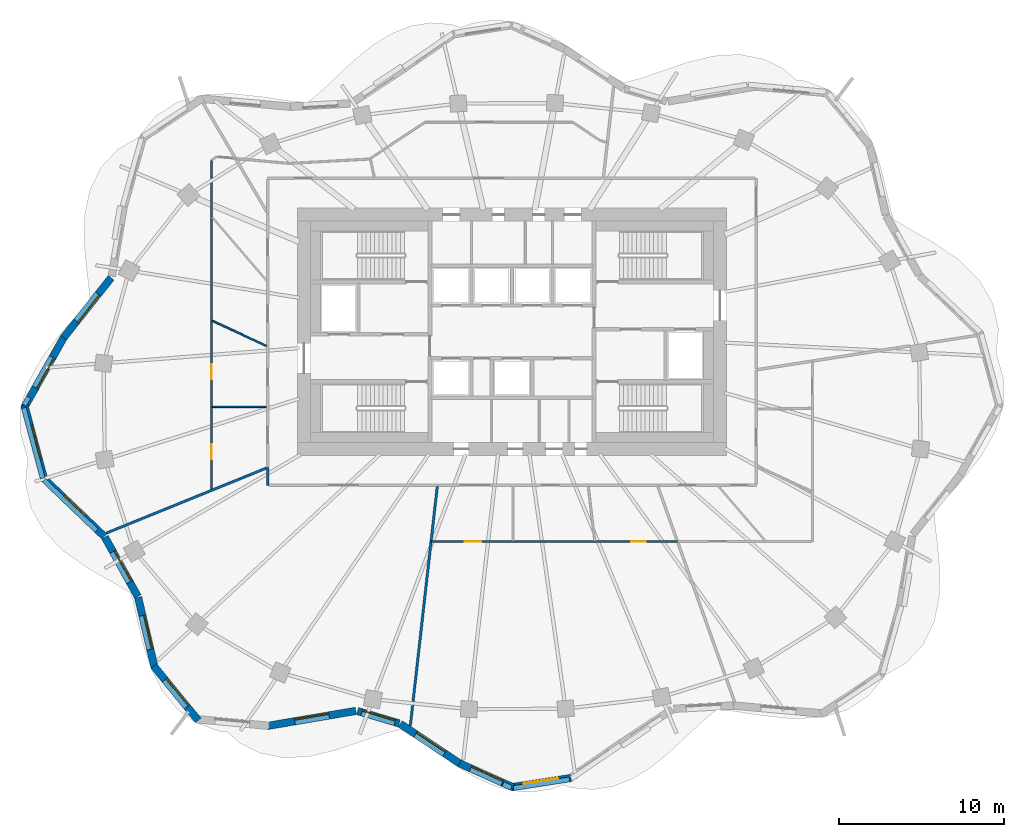
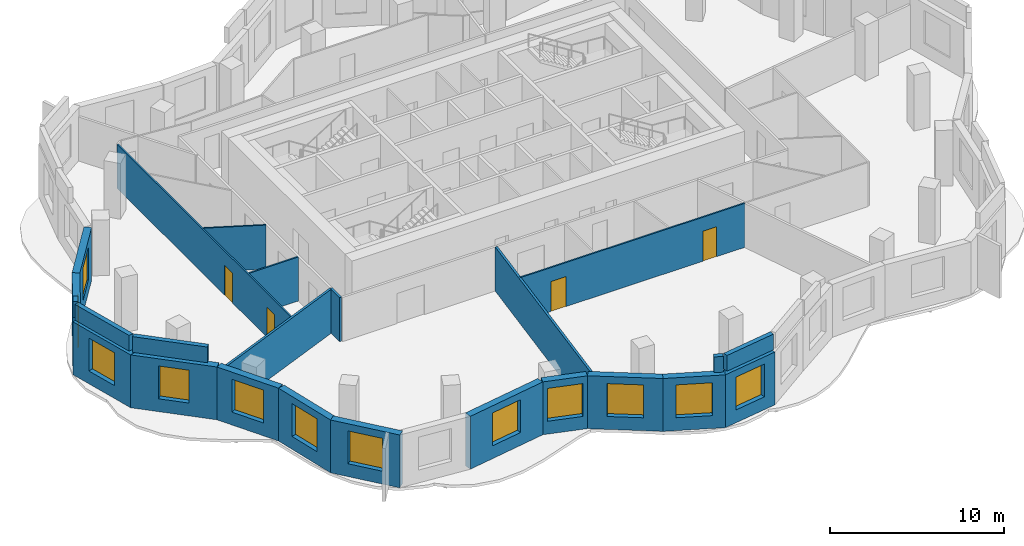
# One storey, part 3 of 9: 24 walls, 12 windows, 4 doors, 16 openings.
"""IFC4 building model written with IfcOpenShell, lengths in metres."""

from ifc_helpers import new_model, si_unit, direction, frame, frame_2d, origin, place, context, subcontext, project, spatial, rectangle, extrude, material, layer, layer_set, type_object, element, fill, save


model = new_model("IFC4")

# Units and contexts
model_context = context("Model", 3, precision=1e-05, world=origin(), true_north=direction((0.0, 1.0)))
body_context = subcontext(model_context, "Body", "Model", "MODEL_VIEW")
ifc_project = project(units=[si_unit("LENGTHUNIT", "METRE"), si_unit("AREAUNIT", "SQUARE_METRE"), si_unit("VOLUMEUNIT", "CUBIC_METRE"), si_unit("PLANEANGLEUNIT", "RADIAN"), si_unit("MASSUNIT", "GRAM", prefix="KILO")], contexts=[model_context])

# Site, building, storey
site_placement = place(None, origin())
site = spatial("IfcSite", under=ifc_project, at=site_placement, CompositionType="ELEMENT")
building_placement = place(site_placement, origin())
building = spatial("IfcBuilding", under=site, at=building_placement, Name="Rubra Terraces Tower", CompositionType="ELEMENT")
storey_placement = place(building_placement, frame((0.0, 0.0, 248.699951171875)))
storey = spatial("IfcBuildingStorey", under=building, at=storey_placement, Name="L61", CompositionType="ELEMENT", Elevation=248.699951171875)

# Wall, opening, window
ifc_material_1 = material(Name="Brick masonry red-brown", Category="masonry")
ifc_layer_1 = layer(ifc_material_1, 0.449951171875)
ifc_layer_set_1 = layer_set([ifc_layer_1], Name="Brick masonry red-brown")
wall_type_1 = type_object("IfcWallType", Name="Brick facade wall 450", PredefinedType="SOLIDWALL", material=ifc_layer_set_1)
wall_1_placement = place(storey_placement, frame((-24.2822265625, 7.773681640625, 0.0), z_axis=(0.0, 0.0, 1.0), x_axis=(-0.621735490397, -0.783227285008, 0.0)))
wall_1 = element("IfcWall", 1, at=wall_1_placement, inside=storey, type_object=wall_type_1, Name="Facade wall L61 bay 19", PredefinedType="SOLIDWALL", context=body_context, shape_type="SweptSolid", body=[
    extrude(rectangle(XDim=4.62451171875, YDim=0.449951171875, at=frame_2d((2.312255859375, 0.0))), origin(), (0.0, 0.0, 1.0), 3.699951171875),
])
opening_1_placement = place(wall_1_placement, frame((1.26220703125, 0.0, 0.89990234375)))
opening_1 = element("IfcOpeningElement", 2, at=opening_1_placement, cuts=wall_1, Name="Opening W1B", PredefinedType="OPENING", context=body_context, shape_type="SweptSolid", body=[
    extrude(rectangle(XDim=2.10009765625, YDim=2.300048828125, at=frame_2d((1.050048828125, 1.14990234375))), frame((0.0, 0.23486328125, 0.0), z_axis=(0.0, -1.0, 0.0), x_axis=(1.0, 0.0, 0.0)), (0.0, 0.0, 1.0), 0.469970703125),
])
ifc_material_2 = material(Name="Clear glass in aluminium frame", Category="aluminium")
window_type_1 = type_object("IfcWindowType", Name="Fixed deep-set window tall storey 2100 x 2300", PartitioningType="SINGLE_PANEL", PredefinedType="WINDOW", material=ifc_material_2)
window_1_placement = place(opening_1_placement, origin())
window_1 = element("IfcWindow", 3, at=window_1_placement, inside=storey, type_object=window_type_1, Name="Window L61 bay 19", OverallHeight=2.300048828125, OverallWidth=2.10009765625, PartitioningType="SINGLE_PANEL", PredefinedType="WINDOW", context=body_context, shape_type="SweptSolid", body=[
    extrude(rectangle(XDim=2.10009765625, YDim=2.300048828125, at=frame_2d((1.050048828125, 1.14990234375))), frame((0.0, 0.135009765625, 0.0), z_axis=(0.0, -1.0, 0.0), x_axis=(1.0, 0.0, 0.0)), (0.0, 0.0, 1.0), 0.06005859375),
])
fill(opening_1, window_1)

wall_2_placement = place(storey_placement, frame((-27.138427734375, 4.180908203125, 0.0), z_axis=(0.0, 0.0, 1.0), x_axis=(-0.491588303761, -0.870827732451, 0.0)))
wall_2 = element("IfcWall", 4, at=wall_2_placement, inside=storey, type_object=wall_type_1, Name="Facade wall L61 bay 20", PredefinedType="SOLIDWALL", context=body_context, shape_type="SweptSolid", body=[
    extrude(rectangle(XDim=4.924072265625, YDim=0.449951171875, at=frame_2d((2.4619140625, 0.0))), origin(), (0.0, 0.0, 1.0), 3.699951171875),
])
opening_2_placement = place(wall_2_placement, frame((1.412109375, 0.0, 0.89990234375)))
opening_2 = element("IfcOpeningElement", 5, at=opening_2_placement, cuts=wall_2, Name="Opening W1B", PredefinedType="OPENING", context=body_context, shape_type="SweptSolid", body=[
    extrude(rectangle(XDim=2.10009765625, YDim=2.300048828125, at=frame_2d((1.050048828125, 1.14990234375))), frame((0.0, 0.23486328125, 0.0), z_axis=(0.0, -1.0, 0.0), x_axis=(1.0, 0.0, 0.0)), (0.0, 0.0, 1.0), 0.469970703125),
])
window_2_placement = place(opening_2_placement, origin())
window_2 = element("IfcWindow", 6, at=window_2_placement, inside=storey, type_object=window_type_1, Name="Window L61 bay 20", OverallHeight=2.300048828125, OverallWidth=2.10009765625, PartitioningType="SINGLE_PANEL", PredefinedType="WINDOW", context=body_context, shape_type="SweptSolid", body=[
    extrude(rectangle(XDim=2.10009765625, YDim=2.300048828125, at=frame_2d((1.050048828125, 1.14990234375))), frame((0.0, 0.135009765625, 0.0), z_axis=(0.0, -1.0, 0.0), x_axis=(1.0, 0.0, 0.0)), (0.0, 0.0, 1.0), 0.06005859375),
])
fill(opening_2, window_2)

wall_3_placement = place(storey_placement, frame((-29.539794921875, 0.05810546875, 0.0), z_axis=(0.0, 0.0, 1.0), x_axis=(0.258581372102, -0.96598947924, 0.0)))
wall_3 = element("IfcWall", 7, at=wall_3_placement, inside=storey, type_object=wall_type_1, Name="Facade wall L61 bay 21", PredefinedType="SOLIDWALL", context=body_context, shape_type="SweptSolid", body=[
    extrude(rectangle(XDim=4.68017578125, YDim=0.449951171875, at=frame_2d((2.340087890625, 0.0))), origin(), (0.0, 0.0, 1.0), 3.699951171875),
])
opening_3_placement = place(wall_3_placement, frame((1.2900390625, 0.0, 0.89990234375)))
opening_3 = element("IfcOpeningElement", 8, at=opening_3_placement, cuts=wall_3, Name="Opening W1B", PredefinedType="OPENING", context=body_context, shape_type="SweptSolid", body=[
    extrude(rectangle(XDim=2.10009765625, YDim=2.300048828125, at=frame_2d((1.050048828125, 1.14990234375))), frame((0.0, 0.23486328125, 0.0), z_axis=(0.0, -1.0, 0.0), x_axis=(1.0, 0.0, 0.0)), (0.0, 0.0, 1.0), 0.469970703125),
])
window_3_placement = place(opening_3_placement, origin())
window_3 = element("IfcWindow", 9, at=window_3_placement, inside=storey, type_object=window_type_1, Name="Window L61 bay 21", OverallHeight=2.300048828125, OverallWidth=2.10009765625, PartitioningType="SINGLE_PANEL", PredefinedType="WINDOW", context=body_context, shape_type="SweptSolid", body=[
    extrude(rectangle(XDim=2.10009765625, YDim=2.300048828125, at=frame_2d((1.050048828125, 1.14990234375))), frame((0.0, 0.135009765625, 0.0), z_axis=(0.0, -1.0, 0.0), x_axis=(1.0, 0.0, 0.0)), (0.0, 0.0, 1.0), 0.06005859375),
])
fill(opening_3, window_3)

wall_4_placement = place(storey_placement, frame((-28.38720703125, -4.362548828125, 0.0), z_axis=(0.0, 0.0, 1.0), x_axis=(0.722717697728, -0.691143349379, 0.0)))
wall_4 = element("IfcWall", 10, at=wall_4_placement, inside=storey, type_object=wall_type_1, Name="Facade wall L61 bay 22", PredefinedType="SOLIDWALL", context=body_context, shape_type="SweptSolid", body=[
    extrude(rectangle(XDim=5.103271484375, YDim=0.449951171875, at=frame_2d((2.5517578125, 0.0))), origin(), (0.0, 0.0, 1.0), 3.699951171875),
])
opening_4_placement = place(wall_4_placement, frame((1.651611328125, 0.0, 0.89990234375)))
opening_4 = element("IfcOpeningElement", 11, at=opening_4_placement, cuts=wall_4, Name="Opening W6B", PredefinedType="OPENING", context=body_context, shape_type="SweptSolid", body=[
    extrude(rectangle(XDim=1.800048828125, YDim=2.300048828125, at=frame_2d((0.89990234375, 1.14990234375))), frame((0.0, 0.23486328125, 0.0), z_axis=(0.0, -1.0, 0.0), x_axis=(1.0, 0.0, 0.0)), (0.0, 0.0, 1.0), 0.469970703125),
])
window_type_2 = type_object("IfcWindowType", Name="Fixed deep-set window at wind fin tall storey 1800 x 2300", PartitioningType="SINGLE_PANEL", PredefinedType="WINDOW", material=ifc_material_2)
window_4_placement = place(opening_4_placement, origin())
window_4 = element("IfcWindow", 12, at=window_4_placement, inside=storey, type_object=window_type_2, Name="Window L61 bay 22", OverallHeight=2.300048828125, OverallWidth=1.800048828125, PartitioningType="SINGLE_PANEL", PredefinedType="WINDOW", context=body_context, shape_type="SweptSolid", body=[
    extrude(rectangle(XDim=1.800048828125, YDim=2.300048828125, at=frame_2d((0.89990234375, 1.14990234375))), frame((0.0, 0.135009765625, 0.0), z_axis=(0.0, -1.0, 0.0), x_axis=(1.0, 0.0, 0.0)), (0.0, 0.0, 1.0), 0.06005859375),
])
fill(opening_4, window_4)

wall_5_placement = place(storey_placement, frame((-24.662109375, -7.93896484375, 0.0), z_axis=(0.0, 0.0, 1.0), x_axis=(0.485153910721, -0.874428775208, 0.0)))
wall_5 = element("IfcWall", 13, at=wall_5_placement, inside=storey, type_object=wall_type_1, Name="Facade wall L61 bay 23", PredefinedType="SOLIDWALL", context=body_context, shape_type="SweptSolid", body=[
    extrude(rectangle(XDim=4.1123046875, YDim=0.449951171875, at=frame_2d((2.05615234375, 0.0))), origin(), (0.0, 0.0, 1.0), 3.699951171875),
])
opening_5_placement = place(wall_5_placement, frame((1.006103515625, 0.0, 0.89990234375)))
opening_5 = element("IfcOpeningElement", 14, at=opening_5_placement, cuts=wall_5, Name="Opening W1B", PredefinedType="OPENING", context=body_context, shape_type="SweptSolid", body=[
    extrude(rectangle(XDim=2.10009765625, YDim=2.300048828125, at=frame_2d((1.050048828125, 1.14990234375))), frame((0.0, 0.23486328125, 0.0), z_axis=(0.0, -1.0, 0.0), x_axis=(1.0, 0.0, 0.0)), (0.0, 0.0, 1.0), 0.469970703125),
])
window_5_placement = place(opening_5_placement, origin())
window_5 = element("IfcWindow", 15, at=window_5_placement, inside=storey, type_object=window_type_1, Name="Window L61 bay 23", OverallHeight=2.300048828125, OverallWidth=2.10009765625, PartitioningType="SINGLE_PANEL", PredefinedType="WINDOW", context=body_context, shape_type="SweptSolid", body=[
    extrude(rectangle(XDim=2.10009765625, YDim=2.300048828125, at=frame_2d((1.050048828125, 1.14990234375))), frame((0.0, 0.135009765625, 0.0), z_axis=(0.0, -1.0, 0.0), x_axis=(1.0, 0.0, 0.0)), (0.0, 0.0, 1.0), 0.06005859375),
])
fill(opening_5, window_5)

wall_6_placement = place(storey_placement, frame((-22.646484375, -11.5859375, 0.0), z_axis=(0.0, 0.0, 1.0), x_axis=(0.227925124198, -0.973678662475, 0.0)))
wall_6 = element("IfcWall", 16, at=wall_6_placement, inside=storey, type_object=wall_type_1, Name="Facade wall L61 bay 24", PredefinedType="SOLIDWALL", context=body_context, shape_type="SweptSolid", body=[
    extrude(rectangle(XDim=4.360595703125, YDim=0.449951171875, at=frame_2d((2.18017578125, 0.0))), origin(), (0.0, 0.0, 1.0), 3.699951171875),
])
opening_6_placement = place(wall_6_placement, frame((1.13037109375, 0.0, 0.89990234375)))
opening_6 = element("IfcOpeningElement", 17, at=opening_6_placement, cuts=wall_6, Name="Opening W1B", PredefinedType="OPENING", context=body_context, shape_type="SweptSolid", body=[
    extrude(rectangle(XDim=2.10009765625, YDim=2.300048828125, at=frame_2d((1.050048828125, 1.14990234375))), frame((0.0, 0.23486328125, 0.0), z_axis=(0.0, -1.0, 0.0), x_axis=(1.0, 0.0, 0.0)), (0.0, 0.0, 1.0), 0.469970703125),
])
window_6_placement = place(opening_6_placement, origin())
window_6 = element("IfcWindow", 18, at=window_6_placement, inside=storey, type_object=window_type_1, Name="Window L61 bay 24", OverallHeight=2.300048828125, OverallWidth=2.10009765625, PartitioningType="SINGLE_PANEL", PredefinedType="WINDOW", context=body_context, shape_type="SweptSolid", body=[
    extrude(rectangle(XDim=2.10009765625, YDim=2.300048828125, at=frame_2d((1.050048828125, 1.14990234375))), frame((0.0, 0.135009765625, 0.0), z_axis=(0.0, -1.0, 0.0), x_axis=(1.0, 0.0, 0.0)), (0.0, 0.0, 1.0), 0.06005859375),
])
fill(opening_6, window_6)

wall_7_placement = place(storey_placement, frame((-21.69580078125, -15.74755859375, 0.0), z_axis=(0.0, 0.0, 1.0), x_axis=(0.632968710519, -0.774177377288, 0.0)))
wall_7 = element("IfcWall", 19, at=wall_7_placement, inside=storey, type_object=wall_type_1, Name="Facade wall L61 bay 25", PredefinedType="SOLIDWALL", context=body_context, shape_type="SweptSolid", body=[
    extrude(rectangle(XDim=4.249755859375, YDim=0.449951171875, at=frame_2d((2.125, 0.0))), origin(), (0.0, 0.0, 1.0), 3.699951171875),
])
opening_7_placement = place(wall_7_placement, frame((1.074951171875, 0.0, 0.89990234375)))
opening_7 = element("IfcOpeningElement", 20, at=opening_7_placement, cuts=wall_7, Name="Opening W1B", PredefinedType="OPENING", context=body_context, shape_type="SweptSolid", body=[
    extrude(rectangle(XDim=2.10009765625, YDim=2.300048828125, at=frame_2d((1.050048828125, 1.14990234375))), frame((0.0, 0.23486328125, 0.0), z_axis=(0.0, -1.0, 0.0), x_axis=(1.0, 0.0, 0.0)), (0.0, 0.0, 1.0), 0.469970703125),
])
window_7_placement = place(opening_7_placement, origin())
window_7 = element("IfcWindow", 21, at=window_7_placement, inside=storey, type_object=window_type_1, Name="Window L61 bay 25", OverallHeight=2.300048828125, OverallWidth=2.10009765625, PartitioningType="SINGLE_PANEL", PredefinedType="WINDOW", context=body_context, shape_type="SweptSolid", body=[
    extrude(rectangle(XDim=2.10009765625, YDim=2.300048828125, at=frame_2d((1.050048828125, 1.14990234375))), frame((0.0, 0.135009765625, 0.0), z_axis=(0.0, -1.0, 0.0), x_axis=(1.0, 0.0, 0.0)), (0.0, 0.0, 1.0), 0.06005859375),
])
fill(opening_7, window_7)

wall_8_placement = place(storey_placement, frame((-14.78173828125, -19.366943359375, 0.0), z_axis=(0.0, 0.0, 1.0), x_axis=(0.98585584667, 0.167595493934, 0.0)))
wall_8 = element("IfcWall", 22, at=wall_8_placement, inside=storey, type_object=wall_type_1, Name="Facade wall L61 bay 27", PredefinedType="SOLIDWALL", context=body_context, shape_type="SweptSolid", body=[
    extrude(rectangle(XDim=5.398681640625, YDim=0.449951171875, at=frame_2d((2.69921875, 0.0))), origin(), (0.0, 0.0, 1.0), 3.699951171875),
])
opening_8_placement = place(wall_8_placement, frame((1.6494140625, 0.0, 0.89990234375)))
opening_8 = element("IfcOpeningElement", 23, at=opening_8_placement, cuts=wall_8, Name="Opening W1B", PredefinedType="OPENING", context=body_context, shape_type="SweptSolid", body=[
    extrude(rectangle(XDim=2.10009765625, YDim=2.300048828125, at=frame_2d((1.050048828125, 1.14990234375))), frame((0.0, 0.23486328125, 0.0), z_axis=(0.0, -1.0, 0.0), x_axis=(1.0, 0.0, 0.0)), (0.0, 0.0, 1.0), 0.469970703125),
])
window_8_placement = place(opening_8_placement, origin())
window_8 = element("IfcWindow", 24, at=window_8_placement, inside=storey, type_object=window_type_1, Name="Window L61 bay 27", OverallHeight=2.300048828125, OverallWidth=2.10009765625, PartitioningType="SINGLE_PANEL", PredefinedType="WINDOW", context=body_context, shape_type="SweptSolid", body=[
    extrude(rectangle(XDim=2.10009765625, YDim=2.300048828125, at=frame_2d((1.050048828125, 1.14990234375))), frame((0.0, 0.135009765625, 0.0), z_axis=(0.0, -1.0, 0.0), x_axis=(1.0, 0.0, 0.0)), (0.0, 0.0, 1.0), 0.06005859375),
])
fill(opening_8, window_8)

wall_9_placement = place(storey_placement, frame((-9.357421875, -18.468505859375, 0.0), z_axis=(0.0, 0.0, 1.0), x_axis=(0.958524054629, -0.285011643091, 0.0)))
wall_9 = element("IfcWall", 25, at=wall_9_placement, inside=storey, type_object=wall_type_1, Name="Facade wall L61 bay 28", PredefinedType="SOLIDWALL", context=body_context, shape_type="SweptSolid", body=[
    extrude(rectangle(XDim=2.637451171875, YDim=0.449951171875, at=frame_2d((1.31884765625, 0.0))), origin(), (0.0, 0.0, 1.0), 3.699951171875),
])
opening_9_placement = place(wall_9_placement, frame((0.268798828125, 0.0, 0.89990234375)))
opening_9 = element("IfcOpeningElement", 26, at=opening_9_placement, cuts=wall_9, Name="Opening W1B", PredefinedType="OPENING", context=body_context, shape_type="SweptSolid", body=[
    extrude(rectangle(XDim=2.10009765625, YDim=2.300048828125, at=frame_2d((1.050048828125, 1.14990234375))), frame((0.0, 0.23486328125, 0.0), z_axis=(0.0, -1.0, 0.0), x_axis=(1.0, 0.0, 0.0)), (0.0, 0.0, 1.0), 0.469970703125),
])
window_9_placement = place(opening_9_placement, origin())
window_9 = element("IfcWindow", 27, at=window_9_placement, inside=storey, type_object=window_type_1, Name="Window L61 bay 28", OverallHeight=2.300048828125, OverallWidth=2.10009765625, PartitioningType="SINGLE_PANEL", PredefinedType="WINDOW", context=body_context, shape_type="SweptSolid", body=[
    extrude(rectangle(XDim=2.10009765625, YDim=2.300048828125, at=frame_2d((1.050048828125, 1.14990234375))), frame((0.0, 0.135009765625, 0.0), z_axis=(0.0, -1.0, 0.0), x_axis=(1.0, 0.0, 0.0)), (0.0, 0.0, 1.0), 0.06005859375),
])
fill(opening_9, window_9)

wall_10_placement = place(storey_placement, frame((-6.76904296875, -19.248291015625, 0.0), z_axis=(0.0, 0.0, 1.0), x_axis=(0.832973379274, -0.553313066375, 0.0)))
wall_10 = element("IfcWall", 28, at=wall_10_placement, inside=storey, type_object=wall_type_1, Name="Facade wall L61 bay 29", PredefinedType="SOLIDWALL", context=body_context, shape_type="SweptSolid", body=[
    extrude(rectangle(XDim=4.348388671875, YDim=0.449951171875, at=frame_2d((2.17431640625, 0.0))), origin(), (0.0, 0.0, 1.0), 3.699951171875),
])
opening_10_placement = place(wall_10_placement, frame((1.1240234375, 0.0, 0.89990234375)))
opening_10 = element("IfcOpeningElement", 29, at=opening_10_placement, cuts=wall_10, Name="Opening W1B", PredefinedType="OPENING", context=body_context, shape_type="SweptSolid", body=[
    extrude(rectangle(XDim=2.10009765625, YDim=2.300048828125, at=frame_2d((1.050048828125, 1.14990234375))), frame((0.0, 0.23486328125, 0.0), z_axis=(0.0, -1.0, 0.0), x_axis=(1.0, 0.0, 0.0)), (0.0, 0.0, 1.0), 0.469970703125),
])
window_10_placement = place(opening_10_placement, origin())
window_10 = element("IfcWindow", 30, at=window_10_placement, inside=storey, type_object=window_type_1, Name="Window L61 bay 29", OverallHeight=2.300048828125, OverallWidth=2.10009765625, PartitioningType="SINGLE_PANEL", PredefinedType="WINDOW", context=body_context, shape_type="SweptSolid", body=[
    extrude(rectangle(XDim=2.10009765625, YDim=2.300048828125, at=frame_2d((1.050048828125, 1.14990234375))), frame((0.0, 0.135009765625, 0.0), z_axis=(0.0, -1.0, 0.0), x_axis=(1.0, 0.0, 0.0)), (0.0, 0.0, 1.0), 0.06005859375),
])
fill(opening_10, window_10)

wall_11_placement = place(storey_placement, frame((-3.179443359375, -21.63623046875, 0.0), z_axis=(0.0, 0.0, 1.0), x_axis=(0.912608353595, -0.40883492139, 0.0)))
wall_11 = element("IfcWall", 31, at=wall_11_placement, inside=storey, type_object=wall_type_1, Name="Facade wall L61 bay 30", PredefinedType="SOLIDWALL", context=body_context, shape_type="SweptSolid", body=[
    extrude(rectangle(XDim=3.584716796875, YDim=0.449951171875, at=frame_2d((1.79248046875, 0.0))), origin(), (0.0, 0.0, 1.0), 3.699951171875),
])
opening_11_placement = place(wall_11_placement, frame((0.7421875, 0.0, 0.89990234375)))
opening_11 = element("IfcOpeningElement", 32, at=opening_11_placement, cuts=wall_11, Name="Opening W1B", PredefinedType="OPENING", context=body_context, shape_type="SweptSolid", body=[
    extrude(rectangle(XDim=2.10009765625, YDim=2.300048828125, at=frame_2d((1.050048828125, 1.14990234375))), frame((0.0, 0.23486328125, 0.0), z_axis=(0.0, -1.0, 0.0), x_axis=(1.0, 0.0, 0.0)), (0.0, 0.0, 1.0), 0.469970703125),
])
window_11_placement = place(opening_11_placement, origin())
window_11 = element("IfcWindow", 33, at=window_11_placement, inside=storey, type_object=window_type_1, Name="Window L61 bay 30", OverallHeight=2.300048828125, OverallWidth=2.10009765625, PartitioningType="SINGLE_PANEL", PredefinedType="WINDOW", context=body_context, shape_type="SweptSolid", body=[
    extrude(rectangle(XDim=2.10009765625, YDim=2.300048828125, at=frame_2d((1.050048828125, 1.14990234375))), frame((0.0, 0.135009765625, 0.0), z_axis=(0.0, -1.0, 0.0), x_axis=(1.0, 0.0, 0.0)), (0.0, 0.0, 1.0), 0.06005859375),
])
fill(opening_11, window_11)

wall_12_placement = place(storey_placement, frame((-0.03466796875, -23.084716796875, 0.0), z_axis=(0.0, 0.0, 1.0), x_axis=(0.988133637562, 0.153596596054, 0.0)))
wall_12 = element("IfcWall", 34, at=wall_12_placement, inside=storey, type_object=wall_type_1, Name="Facade wall L61 bay 31", PredefinedType="SOLIDWALL", context=body_context, shape_type="SweptSolid", body=[
    extrude(rectangle(XDim=3.646240234375, YDim=0.449951171875, at=frame_2d((1.8232421875, 0.0))), origin(), (0.0, 0.0, 1.0), 3.699951171875),
])
opening_12_placement = place(wall_12_placement, frame((0.773193359375, 0.0, 0.89990234375)))
opening_12 = element("IfcOpeningElement", 35, at=opening_12_placement, cuts=wall_12, Name="Opening W1B", PredefinedType="OPENING", context=body_context, shape_type="SweptSolid", body=[
    extrude(rectangle(XDim=2.10009765625, YDim=2.300048828125, at=frame_2d((1.050048828125, 1.14990234375))), frame((0.0, 0.23486328125, 0.0), z_axis=(0.0, -1.0, 0.0), x_axis=(1.0, 0.0, 0.0)), (0.0, 0.0, 1.0), 0.469970703125),
])
window_12_placement = place(opening_12_placement, origin())
window_12 = element("IfcWindow", 36, at=window_12_placement, inside=storey, type_object=window_type_1, Name="Window L61 bay 31", OverallHeight=2.300048828125, OverallWidth=2.10009765625, PartitioningType="SINGLE_PANEL", PredefinedType="WINDOW", context=body_context, shape_type="SweptSolid", body=[
    extrude(rectangle(XDim=2.10009765625, YDim=2.300048828125, at=frame_2d((1.050048828125, 1.14990234375))), frame((0.0, 0.135009765625, 0.0), z_axis=(0.0, -1.0, 0.0), x_axis=(1.0, 0.0, 0.0)), (0.0, 0.0, 1.0), 0.06005859375),
])
fill(opening_12, window_12)

# Walls
ifc_layer_2 = layer(ifc_material_1, 0.300048828125)
ifc_layer_set_2 = layer_set([ifc_layer_2], Name="Brick masonry red-brown")
wall_type_2 = type_object("IfcWallType", Name="Brick parapet 300", PredefinedType="PARAPET", material=ifc_layer_set_2)
wall_13_placement = place(storey_placement, frame((-29.27880859375, 0.541748046875, 3.900146484375), z_axis=(0.0, 0.0, 1.0), x_axis=(-0.491912136679, -0.870644847103, 0.0)))
element("IfcWall", 37, at=wall_13_placement, inside=storey, type_object=wall_type_2, Name="Parapet L61 bay 20", PredefinedType="PARAPET", context=body_context, shape_type="SweptSolid", body=[
    extrude(rectangle(XDim=0.554443359375, YDim=0.300048828125, at=frame_2d((0.27734375, 0.0))), origin(), (0.0, 0.0, 1.0), 1.099853515625),
])
for number, where, z_axis, x_axis, name in (
    (38, (-29.57275390625, -0.1083984375, 3.900146484375), (0.0, 0.0, 1.0), (0.258523195294, -0.96600505045, 0.0), "Parapet L61 bay 21"),
    (39, (-28.36083984375, -4.491455078125, 3.900146484375), (0.0, 0.0, 1.0), (0.722694709068, -0.691167387457, 0.0), "Parapet L61 bay 22"),
):
    element("IfcWall", number, at=place(storey_placement, frame(where, z_axis=z_axis, x_axis=x_axis)), inside=storey, type_object=wall_type_2, Name=name, PredefinedType="PARAPET", context=body_context, shape_type="SweptSolid", body=[
        extrude(rectangle(XDim=4.4140625, YDim=0.300048828125, at=frame_2d((2.20703125, 0.0))), origin(), (0.0, 0.0, 1.0), 1.099853515625),
    ])
wall_14_placement = place(storey_placement, frame((-0.54541015625, -22.898193359375, 3.900146484375), z_axis=(0.0, 0.0, 1.0), x_axis=(0.912497815069, -0.409081578044, 0.0)))
element("IfcWall", 40, at=wall_14_placement, inside=storey, type_object=wall_type_2, Name="Parapet L61 bay 30", PredefinedType="PARAPET", context=body_context, shape_type="SweptSolid", body=[
    extrude(rectangle(XDim=0.546142578125, YDim=0.300048828125, at=frame_2d((0.27294921875, 0.0))), origin(), (0.0, 0.0, 1.0), 1.099853515625),
])
wall_15_placement = place(storey_placement, frame((0.09423828125, -23.140380859375, 3.900146484375), z_axis=(0.0, 0.0, 1.0), x_axis=(0.988150084887, 0.153490748056, 0.0)))
element("IfcWall", 41, at=wall_15_placement, inside=storey, type_object=wall_type_2, Name="Parapet L61 bay 31", PredefinedType="PARAPET", context=body_context, shape_type="SweptSolid", body=[
    extrude(rectangle(XDim=3.42919921875, YDim=0.300048828125, at=frame_2d((1.714599609375, 0.0))), origin(), (0.0, 0.0, 1.0), 1.099853515625),
])
ifc_material_3 = material(Name="Plasterboard on steel stud, mineral wool infill", Category="steel")
ifc_layer_3 = layer(ifc_material_3, 0.14990234375)
ifc_layer_set_3 = layer_set([ifc_layer_3], Name="Plasterboard on steel stud, mineral wool infill")
wall_type_3 = type_object("IfcWallType", Name="CORRIDOR PARTITION 150", PredefinedType="PARTITIONING", material=ifc_layer_set_3)
wall_16_placement = place(storey_placement, frame((-14.800048828125, -3.720703125, 0.0), z_axis=(0.0, 0.0, 1.0), x_axis=(0.0, -1.0, 0.0)))
element("IfcWall", 42, at=wall_16_placement, inside=storey, type_object=wall_type_3, Name="PARTITION", PredefinedType="PARTITIONING", context=body_context, shape_type="SweptSolid", body=[
    extrude(rectangle(XDim=1.079345703125, YDim=0.14990234375, at=frame_2d((0.53955078125, 0.0))), origin(), (0.0, 0.0, 1.0), 3.083984375),
])

# Wall, openings, doors
ifc_material_4 = material(Name="Plasterboard on steel stud", Category="steel")
ifc_layer_4 = layer(ifc_material_4, 0.10009765625)
ifc_layer_set_4 = layer_set([ifc_layer_4], Name="Plasterboard on steel stud")
wall_type_4 = type_object("IfcWallType", Name="ROOM PARTITION 100", PredefinedType="PARTITIONING", material=ifc_layer_set_4)
wall_17_placement = place(storey_placement, frame((10.001953125, -8.199951171875, 0.0), z_axis=(0.0, 0.0, 1.0), x_axis=(-1.0, 0.0, 0.0)))
wall_17 = element("IfcWall", 43, at=wall_17_placement, inside=storey, type_object=wall_type_4, Name="PARTITION", PredefinedType="PARTITIONING", context=body_context, shape_type="SweptSolid", body=[
    extrude(rectangle(XDim=14.8837890625, YDim=0.10009765625, at=frame_2d((7.44189453125, 0.0))), origin(), (0.0, 0.0, 1.0), 3.083984375),
])
opening_13_placement = place(wall_17_placement, frame((11.85693359375, 0.0, 0.0)))
opening_13 = element("IfcOpeningElement", 44, at=opening_13_placement, cuts=wall_17, Name="Opening 61-103", PredefinedType="OPENING", context=body_context, shape_type="SweptSolid", body=[
    extrude(rectangle(XDim=1.0, YDim=2.10009765625, at=frame_2d((0.5, 1.050048828125))), frame((0.0, 0.06005859375, 0.0), z_axis=(0.0, -1.0, 0.0), x_axis=(1.0, 0.0, 0.0)), (0.0, 0.0, 1.0), 0.1201171875),
])
opening_14_placement = place(wall_17_placement, frame((1.889892578125, 0.0, 0.0)))
opening_14 = element("IfcOpeningElement", 45, at=opening_14_placement, cuts=wall_17, Name="Opening 61-105", PredefinedType="OPENING", context=body_context, shape_type="SweptSolid", body=[
    extrude(rectangle(XDim=0.89990234375, YDim=2.10009765625, at=frame_2d((0.449951171875, 1.050048828125))), frame((0.0, 0.06005859375, 0.0), z_axis=(0.0, -1.0, 0.0), x_axis=(1.0, 0.0, 0.0)), (0.0, 0.0, 1.0), 0.1201171875),
])
ifc_material_5 = material(Name="Painted timber door leaf", Category="wood")
door_type_1 = type_object("IfcDoorType", Name="ROOM DOOR 1000 X 2100", OperationType="SINGLE_SWING_LEFT", PredefinedType="DOOR", material=ifc_material_5)
door_1_placement = place(opening_13_placement, origin())
door_1 = element("IfcDoor", 46, at=door_1_placement, inside=storey, type_object=door_type_1, Name="DOOR 61-103", OperationType="SINGLE_SWING_LEFT", OverallHeight=2.10009765625, OverallWidth=1.0, PredefinedType="DOOR", context=body_context, shape_type="SweptSolid", body=[
    extrude(rectangle(XDim=1.0, YDim=2.10009765625, at=frame_2d((0.5, 1.050048828125))), frame((0.0, 0.02490234375, 0.0), z_axis=(0.0, -1.0, 0.0), x_axis=(1.0, 0.0, 0.0)), (0.0, 0.0, 1.0), 0.050048828125),
])
fill(opening_13, door_1)
door_type_2 = type_object("IfcDoorType", Name="ROOM DOOR 900 X 2100", OperationType="SINGLE_SWING_LEFT", PredefinedType="DOOR", material=ifc_material_5)
door_2_placement = place(opening_14_placement, origin())
door_2 = element("IfcDoor", 47, at=door_2_placement, inside=storey, type_object=door_type_2, Name="DOOR 61-105", OperationType="SINGLE_SWING_LEFT", OverallHeight=2.10009765625, OverallWidth=0.89990234375, PredefinedType="DOOR", context=body_context, shape_type="SweptSolid", body=[
    extrude(rectangle(XDim=0.89990234375, YDim=2.10009765625, at=frame_2d((0.449951171875, 1.050048828125))), frame((0.0, 0.02490234375, 0.0), z_axis=(0.0, -1.0, 0.0), x_axis=(1.0, 0.0, 0.0)), (0.0, 0.0, 1.0), 0.050048828125),
])
fill(opening_14, door_2)

wall_18_placement = place(storey_placement, frame((-18.199951171875, -5.080810546875, 0.0), z_axis=(0.0, 0.0, 1.0), x_axis=(0.0, 1.0, 0.0)))
wall_18 = element("IfcWall", 48, at=wall_18_placement, inside=storey, type_object=wall_type_4, Name="PARTITION", PredefinedType="PARTITIONING", context=body_context, shape_type="SweptSolid", body=[
    extrude(rectangle(XDim=19.93212890625, YDim=0.10009765625, at=frame_2d((9.966064453125, 0.0))), origin(), (0.0, 0.0, 1.0), 3.083984375),
])
opening_15_placement = place(wall_18_placement, frame((6.70703125, 0.0, 0.0)))
opening_15 = element("IfcOpeningElement", 49, at=opening_15_placement, cuts=wall_18, Name="Opening 61-117", PredefinedType="OPENING", context=body_context, shape_type="SweptSolid", body=[
    extrude(rectangle(XDim=0.89990234375, YDim=2.10009765625, at=frame_2d((0.449951171875, 1.050048828125))), frame((0.0, 0.06005859375, 0.0), z_axis=(0.0, -1.0, 0.0), x_axis=(1.0, 0.0, 0.0)), (0.0, 0.0, 1.0), 0.1201171875),
])
opening_16_placement = place(wall_18_placement, frame((1.863037109375, 0.0, 0.0)))
opening_16 = element("IfcOpeningElement", 50, at=opening_16_placement, cuts=wall_18, Name="Opening 61-118", PredefinedType="OPENING", context=body_context, shape_type="SweptSolid", body=[
    extrude(rectangle(XDim=0.89990234375, YDim=2.10009765625, at=frame_2d((0.449951171875, 1.050048828125))), frame((0.0, 0.06005859375, 0.0), z_axis=(0.0, -1.0, 0.0), x_axis=(1.0, 0.0, 0.0)), (0.0, 0.0, 1.0), 0.1201171875),
])
door_3_placement = place(opening_15_placement, origin())
door_3 = element("IfcDoor", 51, at=door_3_placement, inside=storey, type_object=door_type_2, Name="DOOR 61-117", OperationType="SINGLE_SWING_LEFT", OverallHeight=2.10009765625, OverallWidth=0.89990234375, PredefinedType="DOOR", context=body_context, shape_type="SweptSolid", body=[
    extrude(rectangle(XDim=0.89990234375, YDim=2.10009765625, at=frame_2d((0.449951171875, 1.050048828125))), frame((0.0, 0.02490234375, 0.0), z_axis=(0.0, -1.0, 0.0), x_axis=(1.0, 0.0, 0.0)), (0.0, 0.0, 1.0), 0.050048828125),
])
fill(opening_15, door_3)
door_4_placement = place(opening_16_placement, origin())
door_4 = element("IfcDoor", 52, at=door_4_placement, inside=storey, type_object=door_type_2, Name="DOOR 61-118", OperationType="SINGLE_SWING_LEFT", OverallHeight=2.10009765625, OverallWidth=0.89990234375, PredefinedType="DOOR", context=body_context, shape_type="SweptSolid", body=[
    extrude(rectangle(XDim=0.89990234375, YDim=2.10009765625, at=frame_2d((0.449951171875, 1.050048828125))), frame((0.0, 0.02490234375, 0.0), z_axis=(0.0, -1.0, 0.0), x_axis=(1.0, 0.0, 0.0)), (0.0, 0.0, 1.0), 0.050048828125),
])
fill(opening_16, door_4)

# Walls
wall_19_placement = place(storey_placement, frame((-14.867919921875, 3.6435546875, 0.0), z_axis=(0.0, 0.0, 1.0), x_axis=(-0.906769022566, 0.421627726455, 0.0)))
element("IfcWall", 53, at=wall_19_placement, inside=storey, type_object=wall_type_4, Name="PARTITION", PredefinedType="PARTITIONING", context=body_context, shape_type="SweptSolid", body=[
    extrude(rectangle(XDim=3.624755859375, YDim=0.10009765625, at=frame_2d((1.8125, 0.0))), origin(), (0.0, 0.0, 1.0), 3.083984375),
])
wall_20_placement = place(storey_placement, frame((-14.875, -0.042236328125, 0.0), z_axis=(0.0, 0.0, 1.0), x_axis=(-0.999999196935, -0.00126733162, 0.0)))
element("IfcWall", 54, at=wall_20_placement, inside=storey, type_object=wall_type_4, Name="PARTITION", PredefinedType="PARTITIONING", context=body_context, shape_type="SweptSolid", body=[
    extrude(rectangle(XDim=3.27490234375, YDim=0.10009765625, at=frame_2d((1.637451171875, 0.0))), origin(), (0.0, 0.0, 1.0), 3.083984375),
])
ifc_layer_5 = layer(ifc_material_4, 0.14990234375)
ifc_layer_set_5 = layer_set([ifc_layer_5], Name="Plasterboard on steel stud")
wall_type_5 = type_object("IfcWallType", Name="ROOM PARTITION 150", PredefinedType="PARTITIONING", material=ifc_layer_set_5)
wall_21_placement = place(storey_placement, frame((-24.57421875, -7.692138671875, 0.0), z_axis=(0.0, 0.0, 1.0), x_axis=(0.926449052431, 0.376420181777, 0.0)))
element("IfcWall", 55, at=wall_21_placement, inside=storey, type_object=wall_type_5, Name="PARTITION", PredefinedType="PARTITIONING", context=body_context, shape_type="SweptSolid", body=[
    extrude(rectangle(XDim=10.475341796875, YDim=0.14990234375, at=frame_2d((5.23779296875, 0.0))), origin(), (0.0, 0.0, 1.0), 3.083984375),
])
wall_22_placement = place(storey_placement, frame((-6.160888671875, -19.37744140625, 0.0), z_axis=(0.0, 0.0, 1.0), x_axis=(0.111927750306, 0.99371634721, 0.0)))
element("IfcWall", 56, at=wall_22_placement, inside=storey, type_object=wall_type_5, Name="PARTITION", PredefinedType="PARTITIONING", context=body_context, shape_type="SweptSolid", body=[
    extrude(rectangle(XDim=14.5947265625, YDim=0.14990234375, at=frame_2d((7.29736328125, 0.0))), origin(), (0.0, 0.0, 1.0), 3.083984375),
])

save(model, "model.ifc")
